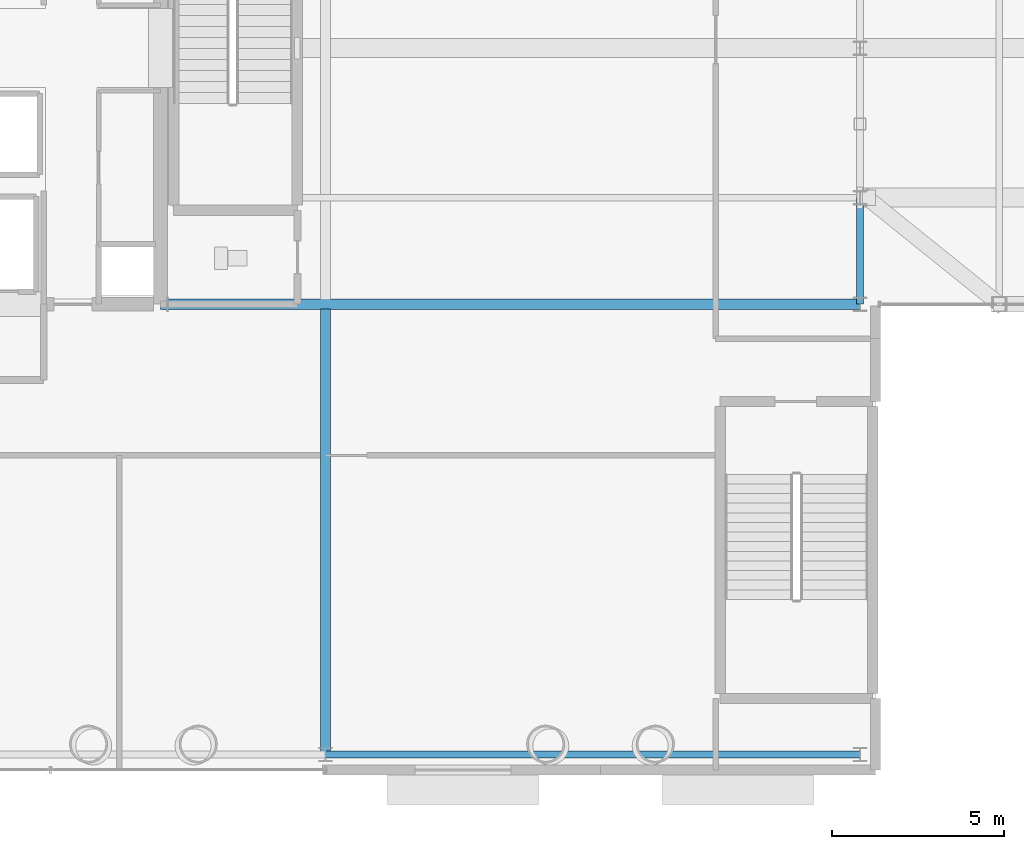
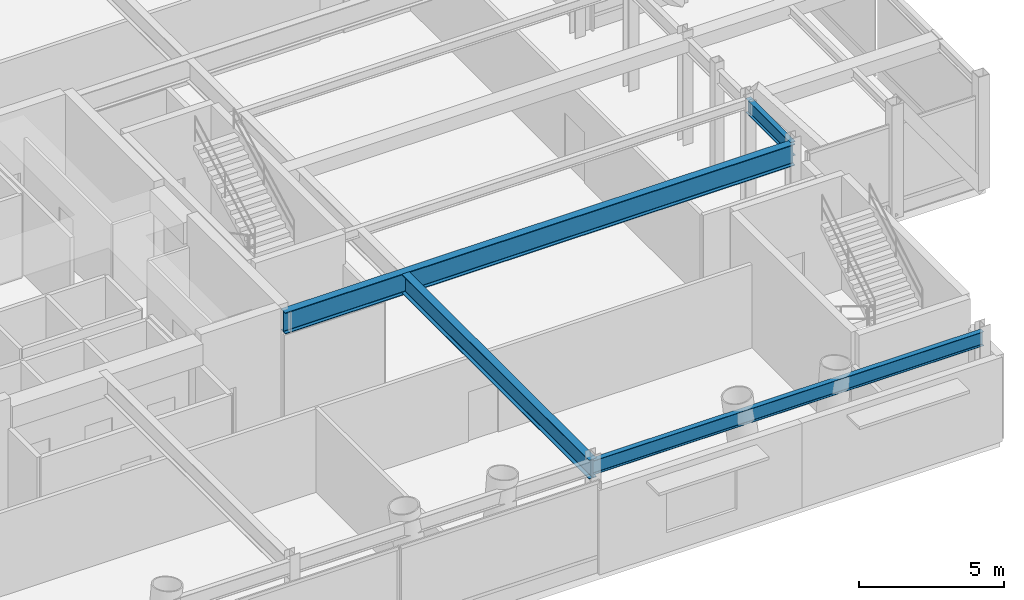
# One storey, part 9 of 26: 4 beams.
"""IFC4 building model written with IfcOpenShell, lengths in metres."""

from ifc_helpers import new_model, si_unit, direction, frame, origin, origin_2d, place, context, subcontext, project, spatial, i_section, extrude, material, material_profile, profile_set, type_object, element, save


model = new_model("IFC4")

# Units and contexts
model_context = context("Model", 3, precision=1e-05, world=origin(), true_north=direction((0.0, 1.0)))
body_context = subcontext(model_context, "Body", "Model", "MODEL_VIEW")
ifc_project = project(units=[si_unit("LENGTHUNIT", "METRE"), si_unit("AREAUNIT", "SQUARE_METRE"), si_unit("VOLUMEUNIT", "CUBIC_METRE"), si_unit("PLANEANGLEUNIT", "RADIAN"), si_unit("MASSUNIT", "GRAM", prefix="KILO")], contexts=[model_context])

# Site, building, storey
site_placement = place(None, origin())
site = spatial("IfcSite", under=ifc_project, at=site_placement, CompositionType="ELEMENT")
building_placement = place(site_placement, origin())
building = spatial("IfcBuilding", under=site, at=building_placement, Name="Veldorina Hangang Commons", CompositionType="ELEMENT")
storey_placement = place(building_placement, frame((0.0, 0.0, 5.199951171875)))
storey = spatial("IfcBuildingStorey", under=building, at=storey_placement, Name="L01", CompositionType="ELEMENT", Elevation=5.199951171875)

# Beams
ifc_material_1 = material(Name="Steel SM460-TMC", Category="steel")
ifc_material_profile_1 = material_profile(ifc_material_1, i_section(OverallWidth=0.300048828125, OverallDepth=0.800048828125, WebThickness=0.013916015625, FlangeThickness=0.02587890625, FilletRadius=0.02197265625, at=origin_2d()), Name="H-800x300x14x26")
ifc_profile_set_1 = profile_set([ifc_material_profile_1], Name="Steel SM460-TMC")
beam_type_1 = type_object("IfcBeamType", Name="BM-PG800", PredefinedType="BEAM", material=ifc_profile_set_1)
beam_1_placement = place(storey_placement, frame((44.0, 3.449951171875, 4.10009765625), z_axis=(0.0, 1.0, 0.0), x_axis=(-1.0, 0.0, 0.0)))
element("IfcBeam", 1, at=beam_1_placement, inside=storey, type_object=beam_type_1, Name="L01 south primary girder G7", PredefinedType="BEAM", context=body_context, shape_type="SweptSolid", body=[
    extrude(i_section(OverallWidth=0.300048828125, OverallDepth=0.800048828125, WebThickness=0.013916015625, FlangeThickness=0.02587890625, FilletRadius=0.02197265625, at=origin_2d()), origin(), (0.0, 0.0, 1.0), 12.9599609375),
])
ifc_material_profile_2 = material_profile(ifc_material_1, i_section(OverallWidth=0.300048828125, OverallDepth=0.89990234375, WebThickness=0.01611328125, FlangeThickness=0.028076171875, FilletRadius=0.02197265625, at=origin_2d()), Name="H-900x300x16x28")
ifc_profile_set_2 = profile_set([ifc_material_profile_2], Name="Steel SM460-TMC")
beam_type_2 = type_object("IfcBeamType", Name="BM-PG900", PredefinedType="BEAM", material=ifc_profile_set_2)
beam_2_placement = place(storey_placement, frame((39.199951171875, 16.550048828125, 4.050048828125), z_axis=(1.0, 0.0, 0.0), x_axis=(0.0, 1.0, 0.0)))
element("IfcBeam", 2, at=beam_2_placement, inside=storey, type_object=beam_type_2, Name="L01 east collector girder GD", PredefinedType="BEAM", context=body_context, shape_type="SweptSolid", body=[
    extrude(i_section(OverallWidth=0.300048828125, OverallDepth=0.89990234375, WebThickness=0.01611328125, FlangeThickness=0.028076171875, FilletRadius=0.02197265625, at=origin_2d()), origin(), (0.0, 0.0, 1.0), 20.35009765625),
])
ifc_material_2 = material(Name="Steel SM420-TMC", Category="steel")
ifc_material_profile_3 = material_profile(ifc_material_2, i_section(OverallWidth=0.199951171875, OverallDepth=0.60009765625, WebThickness=0.010986328125, FlangeThickness=0.01708984375, FilletRadius=0.01806640625, at=origin_2d()), Name="H-600x200x11x17")
ifc_profile_set_3 = profile_set([ifc_material_profile_3], Name="Steel SM420-TMC")
beam_type_3 = type_object("IfcBeamType", Name="BM-SPN600", PredefinedType="SPANDREL", material=ifc_profile_set_3)
beam_3_placement = place(storey_placement, frame((44.0, 3.449951171875, 4.199951171875), z_axis=(1.0, 0.0, 0.0), x_axis=(0.0, 1.0, 0.0)))
element("IfcBeam", 3, at=beam_3_placement, inside=storey, type_object=beam_type_3, Name="L01 south spandrel beam 4", PredefinedType="SPANDREL", context=body_context, shape_type="SweptSolid", body=[
    extrude(i_section(OverallWidth=0.199951171875, OverallDepth=0.60009765625, WebThickness=0.010986328125, FlangeThickness=0.01708984375, FilletRadius=0.01806640625, at=origin_2d()), origin(), (0.0, 0.0, 1.0), 15.550048828125),
])
beam_4_placement = place(storey_placement, frame((59.550048828125, 16.550048828125, 4.199951171875), z_axis=(0.0, 1.0, 0.0), x_axis=(-1.0, 0.0, 0.0)))
element("IfcBeam", 4, at=beam_4_placement, inside=storey, type_object=beam_type_3, Name="L01 east spandrel beam 2", PredefinedType="SPANDREL", context=body_context, shape_type="SweptSolid", body=[
    extrude(i_section(OverallWidth=0.199951171875, OverallDepth=0.60009765625, WebThickness=0.010986328125, FlangeThickness=0.01708984375, FilletRadius=0.01806640625, at=origin_2d()), origin(), (0.0, 0.0, 1.0), 3.099853515625),
])

save(model, "model.ifc")
